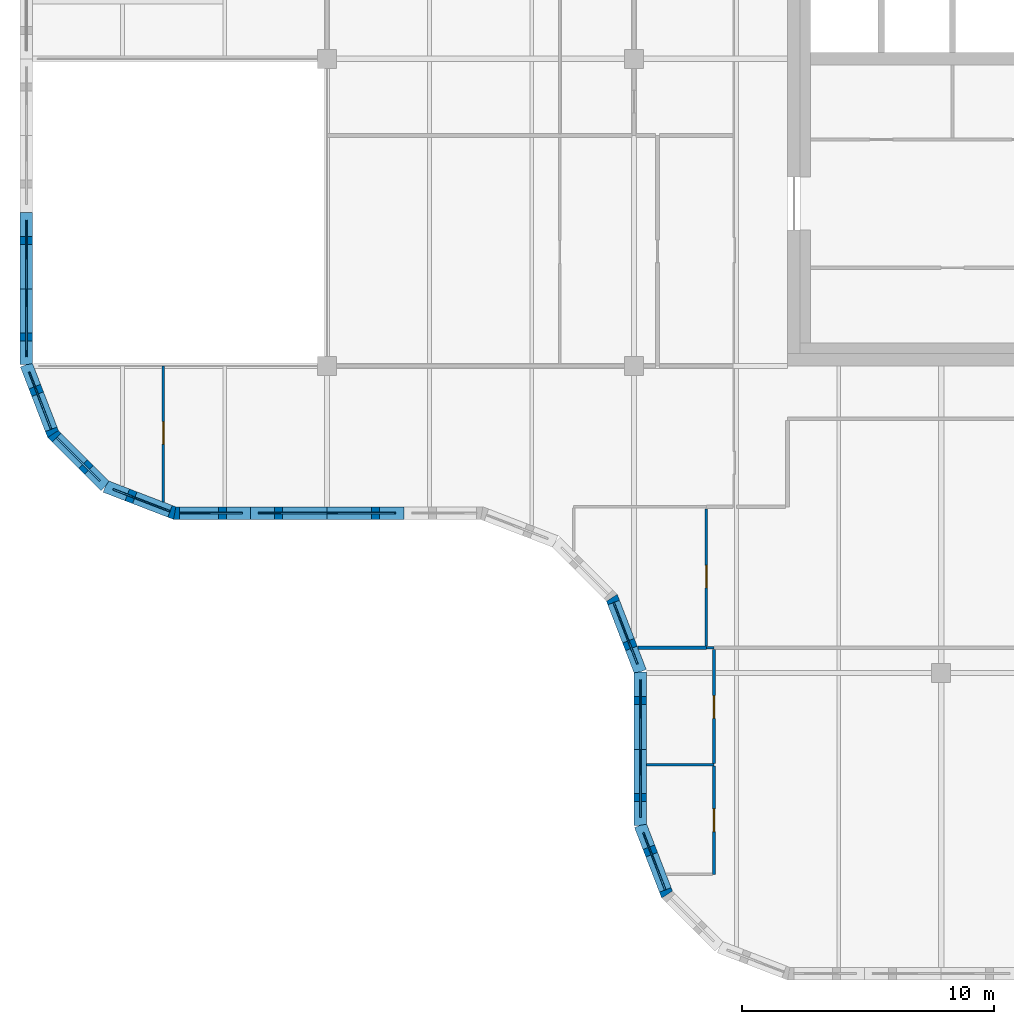
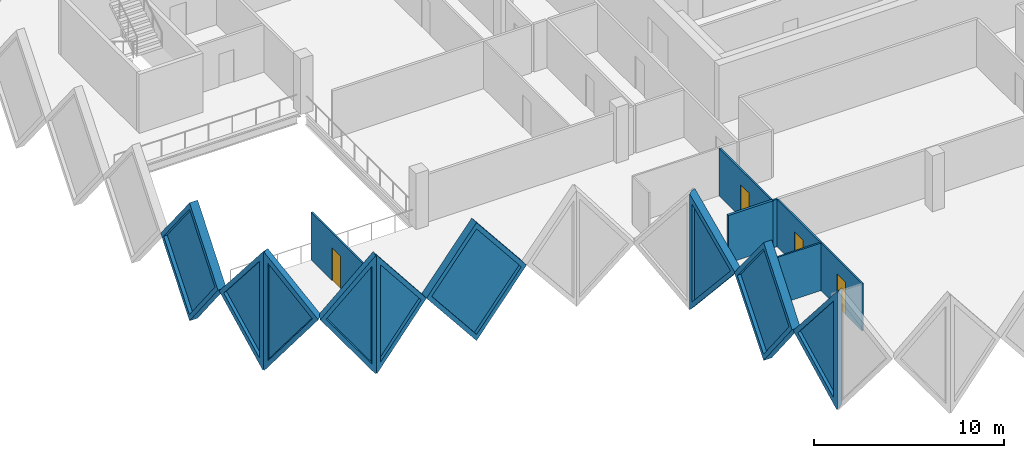
# One storey, part 3 of 11: 16 walls, 9 plates, 4 doors, 13 openings.
"""IFC4 building model written with IfcOpenShell, lengths in metres."""

from ifc_helpers import new_model, si_unit, direction, frame, frame_2d, origin, place, context, subcontext, project, spatial, polyline, rectangle, outline, extrude, faceted_brep, source, transform, mapped, material, layer, layer_set, type_object, element, fill, save


model = new_model("IFC4")

# Units and contexts
model_context = context("Model", 3, precision=1e-05, world=origin(), true_north=direction((0.0, 1.0)))
body_context = subcontext(model_context, "Body", "Model", "MODEL_VIEW")
ifc_project = project(units=[si_unit("LENGTHUNIT", "METRE"), si_unit("AREAUNIT", "SQUARE_METRE"), si_unit("VOLUMEUNIT", "CUBIC_METRE"), si_unit("PLANEANGLEUNIT", "RADIAN"), si_unit("MASSUNIT", "GRAM", prefix="KILO")], contexts=[model_context])

# Site, building, storey
site_placement = place(None, origin())
site = spatial("IfcSite", under=ifc_project, at=site_placement, CompositionType="ELEMENT")
building_placement = place(site_placement, origin())
building = spatial("IfcBuilding", under=site, at=building_placement, Name="Tessera Gate Towers", CompositionType="ELEMENT")
storey_placement = place(building_placement, frame((0.0, 0.0, 205.5)))
storey = spatial("IfcBuildingStorey", under=building, at=storey_placement, Name="L51", CompositionType="ELEMENT", Elevation=205.5)

# Wall, opening, door
ifc_material_1 = material(Name="Glass", Category="glass")
ifc_layer_1 = layer(ifc_material_1, 0.10009765625)
ifc_layer_set_1 = layer_set([ifc_layer_1], Name="GLAZED PARTITION 100")
wall_type_1 = type_object("IfcWallType", Name="GLAZED PARTITION 100", PredefinedType="PARTITIONING", material=ifc_layer_set_1)
wall_1_placement = place(storey_placement, frame((27.574951171875, 4.199951171875, 0.0), z_axis=(0.0, 0.0, 1.0), x_axis=(0.0, 1.0, 0.0)))
wall_1 = element("IfcWall", 1, at=wall_1_placement, inside=storey, type_object=wall_type_1, Name="T1-L51-PW-004", PredefinedType="PARTITIONING", context=body_context, shape_type="SweptSolid", body=[
    extrude(rectangle(XDim=4.296875, YDim=0.10009765625, at=frame_2d((2.1484375, 0.0))), origin(), (0.0, 0.0, 1.0), 3.06689453125),
])
shared_shape_1 = source(origin(), body_context, "Body", "SweptSolid", [
    extrude(rectangle(XDim=0.89990234375, YDim=2.10009765625, at=frame_2d((0.449951171875, 1.050048828125))), frame((0.0, 0.06005859375, 0.0), z_axis=(0.0, -1.0, 0.0), x_axis=(1.0, 0.0, 0.0)), (0.0, 0.0, 1.0), 0.1201171875),
])
opening_1_placement = place(wall_1_placement, frame((1.699951171875, 0.0, 0.0)))
opening_1 = element("IfcOpeningElement", 2, at=opening_1_placement, cuts=wall_1, Name="Opening D690-A18-04", PredefinedType="OPENING", context=body_context, shape_type="MappedRepresentation", body=[
    mapped(shared_shape_1, transform((0.0, 0.0, 0.0), scale=1.0)),
])
ifc_material_2 = material(Name="Glass in aluminium frame", Category="aluminium")
door_type = type_object("IfcDoorType", Name="GLAZED DOOR 900 NOT RATED", OperationType="NOTDEFINED", PredefinedType="DOOR", material=ifc_material_2)
shared_shape_2 = source(origin(), body_context, "Body", "SweptSolid", [
    extrude(rectangle(XDim=0.89990234375, YDim=2.10009765625, at=frame_2d((0.449951171875, 1.050048828125))), frame((0.0, 0.02490234375, 0.0), z_axis=(0.0, -1.0, 0.0), x_axis=(1.0, 0.0, 0.0)), (0.0, 0.0, 1.0), 0.050048828125),
])
door_1_placement = place(opening_1_placement, origin())
door_1 = element("IfcDoor", 3, at=door_1_placement, inside=storey, type_object=door_type, Name="T1-L51-PD-010", OperationType="SINGLE_SWING_LEFT", OverallHeight=2.10009765625, OverallWidth=0.89990234375, PredefinedType="DOOR", context=body_context, shape_type="MappedRepresentation", body=[
    mapped(shared_shape_2, transform((0.0, 0.0, 0.0), scale=1.0)),
])
fill(opening_1, door_1)

wall_2_placement = place(storey_placement, frame((27.574951171875, 8.598876953125, 0.0), z_axis=(0.0, 0.0, 1.0), x_axis=(0.0, 1.0, 0.0)))
wall_2 = element("IfcWall", 4, at=wall_2_placement, inside=storey, type_object=wall_type_1, Name="T1-L51-PW-009", PredefinedType="PARTITIONING", context=body_context, shape_type="SweptSolid", body=[
    extrude(rectangle(XDim=4.525146484375, YDim=0.10009765625, at=frame_2d((2.2626953125, 0.0))), origin(), (0.0, 0.0, 1.0), 3.06689453125),
])
opening_2_placement = place(wall_2_placement, frame((1.800048828125, 0.0, 0.0)))
opening_2 = element("IfcOpeningElement", 5, at=opening_2_placement, cuts=wall_2, Name="Opening D690-A18-01", PredefinedType="OPENING", context=body_context, shape_type="MappedRepresentation", body=[
    mapped(shared_shape_1, transform((0.0, 0.0, 0.0), scale=1.0)),
])
door_2_placement = place(opening_2_placement, origin())
door_2 = element("IfcDoor", 6, at=door_2_placement, inside=storey, type_object=door_type, Name="T1-L51-PD-004", OperationType="SINGLE_SWING_LEFT", OverallHeight=2.10009765625, OverallWidth=0.89990234375, PredefinedType="DOOR", context=body_context, shape_type="MappedRepresentation", body=[
    mapped(shared_shape_2, transform((0.0, 0.0, 0.0), scale=1.0)),
])
fill(opening_2, door_2)

# Wall
wall_3_placement = place(storey_placement, frame((27.27587890625, 13.199951171875, 0.0), z_axis=(0.0, 0.0, 1.0), x_axis=(1.0, 0.0, 0.0)))
element("IfcWall", 7, at=wall_3_placement, inside=storey, type_object=wall_type_1, Name="T1-L51-PW-012", PredefinedType="PARTITIONING", context=body_context, shape_type="SweptSolid", body=[
    extrude(rectangle(XDim=0.298095703125, YDim=0.10009765625, at=frame_2d((0.14892578125, 0.0))), origin(), (0.0, 0.0, 1.0), 3.06689453125),
])

# Wall, opening, door
wall_4_placement = place(storey_placement, frame((27.27490234375, 13.27587890625, 0.0), z_axis=(0.0, 0.0, 1.0), x_axis=(0.0, 1.0, 0.0)))
wall_4 = element("IfcWall", 8, at=wall_4_placement, inside=storey, type_object=wall_type_1, Name="T1-L51-PW-014", PredefinedType="PARTITIONING", context=body_context, shape_type="SweptSolid", body=[
    extrude(rectangle(XDim=5.4482421875, YDim=0.10009765625, at=frame_2d((2.72412109375, 0.0))), origin(), (0.0, 0.0, 1.0), 3.06689453125),
])
opening_3_placement = place(wall_4_placement, frame((2.300048828125, 0.0, 0.0)))
opening_3 = element("IfcOpeningElement", 9, at=opening_3_placement, cuts=wall_4, Name="Opening D690-A18-03", PredefinedType="OPENING", context=body_context, shape_type="MappedRepresentation", body=[
    mapped(shared_shape_1, transform((0.0, 0.0, 0.0), scale=1.0)),
])
door_3_placement = place(opening_3_placement, origin())
door_3 = element("IfcDoor", 10, at=door_3_placement, inside=storey, type_object=door_type, Name="T1-L51-PD-008", OperationType="SINGLE_SWING_LEFT", OverallHeight=2.10009765625, OverallWidth=0.89990234375, PredefinedType="DOOR", context=body_context, shape_type="MappedRepresentation", body=[
    mapped(shared_shape_2, transform((0.0, 0.0, 0.0), scale=1.0)),
])
fill(opening_3, door_3)

wall_5_placement = place(storey_placement, frame((5.699951171875, 18.990234375, 0.0), z_axis=(0.0, 0.0, 1.0), x_axis=(0.0, 1.0, 0.0)))
wall_5 = element("IfcWall", 11, at=wall_5_placement, inside=storey, type_object=wall_type_1, Name="T1-L51-PW-025", PredefinedType="PARTITIONING", context=body_context, shape_type="SweptSolid", body=[
    extrude(rectangle(XDim=5.40966796875, YDim=0.10009765625, at=frame_2d((2.704833984375, 0.0))), origin(), (0.0, 0.0, 1.0), 3.06689453125),
])
opening_4_placement = place(wall_5_placement, frame((2.300048828125, 0.0, 0.0)))
opening_4 = element("IfcOpeningElement", 12, at=opening_4_placement, cuts=wall_5, Name="Opening D690-A18-02", PredefinedType="OPENING", context=body_context, shape_type="MappedRepresentation", body=[
    mapped(shared_shape_1, transform((0.0, 0.0, 0.0), scale=1.0)),
])
door_4_placement = place(opening_4_placement, origin())
door_4 = element("IfcDoor", 13, at=door_4_placement, inside=storey, type_object=door_type, Name="T1-L51-PD-007", OperationType="SINGLE_SWING_LEFT", OverallHeight=2.10009765625, OverallWidth=0.89990234375, PredefinedType="DOOR", context=body_context, shape_type="MappedRepresentation", body=[
    mapped(shared_shape_2, transform((0.0, 0.0, 0.0), scale=1.0)),
])
fill(opening_4, door_4)

# Walls
ifc_material_3 = material(Name="Gypsum board on steel studs", Category="steel")
ifc_layer_2 = layer(ifc_material_3, 0.10009765625)
ifc_layer_set_2 = layer_set([ifc_layer_2], Name="PARTITION 100")
wall_type_2 = type_object("IfcWallType", Name="PARTITION 100", PredefinedType="PARTITIONING", material=ifc_layer_set_2)
wall_6_placement = place(storey_placement, frame((24.89990234375, 8.548095703125, 0.0), z_axis=(0.0, 0.0, 1.0), x_axis=(1.0, 0.0, 0.0)))
element("IfcWall", 14, at=wall_6_placement, inside=storey, type_object=wall_type_2, Name="T1-L51-PW-008", PredefinedType="PARTITIONING", context=body_context, shape_type="SweptSolid", body=[
    extrude(rectangle(XDim=2.675048828125, YDim=0.10009765625, at=frame_2d((1.33740234375, 0.0))), origin(), (0.0, 0.0, 1.0), 3.06689453125),
])
ifc_material_4 = material(Name="Gypsum board on steel studs, mineral wool", Category="steel")
ifc_layer_3 = layer(ifc_material_4, 0.14990234375)
ifc_layer_set_3 = layer_set([ifc_layer_3], Name="TENANCY WALL 150")
wall_type_3 = type_object("IfcWallType", Name="TENANCY WALL 150", PredefinedType="PARTITIONING", material=ifc_layer_set_3)
wall_7_placement = place(storey_placement, frame((24.55029296875, 13.199951171875, 0.0), z_axis=(0.0, 0.0, 1.0), x_axis=(1.0, 0.0, 0.0)))
element("IfcWall", 15, at=wall_7_placement, inside=storey, type_object=wall_type_3, Name="T1-L51-PW-011", PredefinedType="PARTITIONING", context=body_context, shape_type="SweptSolid", body=[
    extrude(rectangle(XDim=2.724609375, YDim=0.14990234375, at=frame_2d((1.3623046875, 0.0))), origin(), (0.0, 0.0, 1.0), 3.06689453125),
])

# Wall, opening, plate
ifc_material_5 = material(Name="Precast concrete C60/75 white", Category="concrete")
ifc_layer_4 = layer(ifc_material_5, 0.5)
ifc_layer_set_4 = layer_set([ifc_layer_4], Name="TS1 tessera")
wall_type_4 = type_object("IfcWallType", Name="TS1 tessera", PredefinedType="SOLIDWALL", material=ifc_layer_set_4)
shared_shape_3 = source(origin(), body_context, "Body", "SweptSolid", [
    extrude(outline(polyline([(3.050048828125, 0.0), (6.10009765625, 3.800048828125), (3.050048828125, 7.60009765625), (0.0, 3.800048828125), (3.050048828125, 0.0)])), frame((0.0, 0.25, 0.0), z_axis=(0.0, -1.0, 0.0), x_axis=(1.0, 0.0, 0.0)), (0.0, 0.0, 1.0), 0.5),
])
wall_8_placement = place(storey_placement, frame((9.14990234375, 18.550048828125, -3.800048828125), z_axis=(0.0, 0.0, 1.0), x_axis=(1.0, 0.0, 0.0)))
wall_8 = element("IfcWall", 16, at=wall_8_placement, inside=storey, type_object=wall_type_4, Name="Precast tessera T1 TS1-0895", PredefinedType="SOLIDWALL", context=body_context, shape_type="MappedRepresentation", body=[
    mapped(shared_shape_3, transform((0.0, 0.0, 0.0), scale=1.0)),
])
shared_shape_4 = source(origin(), body_context, "Body", "SweptSolid", [
    extrude(outline(polyline([(3.050048828125, 0.3994140625), (5.779541015625, 3.800048828125), (3.050048828125, 7.20068359375), (0.320556640625, 3.800048828125), (3.050048828125, 0.3994140625)])), frame((0.0, 0.260009765625, 0.0), z_axis=(0.0, -1.0, 0.0), x_axis=(1.0, 0.0, 0.0)), (0.0, 0.0, 1.0), 0.52001953125),
])
opening_5_placement = place(wall_8_placement, origin())
opening_5 = element("IfcOpeningElement", 17, at=opening_5_placement, cuts=wall_8, Name="Opening T1-PL2-1825", PredefinedType="OPENING", context=body_context, shape_type="MappedRepresentation", body=[
    mapped(shared_shape_4, transform((0.0, 0.0, 0.0), scale=1.0)),
])
ifc_material_6 = material(Name="Low-e laminated glass", Category="glass")
ifc_layer_5 = layer(ifc_material_6, 0.06005859375)
ifc_layer_set_5 = layer_set([ifc_layer_5], Name="PL2 rhombic pane")
plate_type = type_object("IfcPlateType", Name="PL2 rhombic pane", PredefinedType="SHEET", material=ifc_layer_set_5)
shared_shape_5 = source(origin(), body_context, "Body", "SweptSolid", [
    extrude(outline(polyline([(3.050048828125, 0.3994140625), (5.779541015625, 3.800048828125), (3.050048828125, 7.20068359375), (0.320556640625, 3.800048828125), (3.050048828125, 0.3994140625)])), frame((0.0, 0.030029296875, 0.0), z_axis=(0.0, -1.0, 0.0), x_axis=(1.0, 0.0, 0.0)), (0.0, 0.0, 1.0), 0.06005859375),
])
plate_1_placement = place(opening_5_placement, origin())
plate_1 = element("IfcPlate", 18, at=plate_1_placement, inside=storey, type_object=plate_type, Name="Glass pane T1 PL2-1825", PredefinedType="SHEET", context=body_context, shape_type="MappedRepresentation", body=[
    mapped(shared_shape_5, transform((0.0, 0.0, 0.0), scale=1.0)),
])
fill(opening_5, plate_1)

shared_shape_6 = source(origin(), body_context, "Body", "Brep", [
    faceted_brep([(3.050048828125, -0.25, 0.0), (6.053466796875, -0.25, 3.800048828125), (3.050048828125, -0.25, 7.60009765625), (0.0, -0.25, 3.800048828125), (0.0, 0.25, 3.800048828125), (3.050048828125, 0.25, 7.60009765625), (6.0068359375, 0.25, 3.85888671875), (6.0068359375, 0.25, 3.7412109375), (3.050048828125, 0.25, 0.0), (6.053466796875, 0.0, 3.800048828125)], [[[0, 1, 2, 3]], [[4, 5, 6, 7, 8]], [[8, 7, 9, 1, 0]], [[6, 5, 2, 1, 9]], [[5, 4, 3, 2]], [[4, 8, 0, 3]], [[9, 7, 6]]]),
])
wall_9_placement = place(storey_placement, frame((0.25, 30.5, -3.800048828125), z_axis=(0.0, 0.0, 1.0), x_axis=(0.0, -1.0, 0.0)))
wall_9 = element("IfcWall", 19, at=wall_9_placement, inside=storey, type_object=wall_type_4, Name="Precast tessera T1 TS1-0894", PredefinedType="SOLIDWALL", context=body_context, shape_type="MappedRepresentation", body=[
    mapped(shared_shape_6, transform((0.0, 0.0, 0.0), scale=1.0)),
])
shared_shape_7 = source(origin(), body_context, "Body", "SweptSolid", [
    extrude(outline(polyline([(3.048583984375, 0.4013671875), (5.73486328125, 3.800048828125), (3.048583984375, 7.19873046875), (0.320556640625, 3.800048828125), (3.048583984375, 0.4013671875)])), frame((0.0, 0.260009765625, 0.0), z_axis=(0.0, -1.0, 0.0), x_axis=(1.0, 0.0, 0.0)), (0.0, 0.0, 1.0), 0.52001953125),
])
opening_6_placement = place(wall_9_placement, origin())
opening_6 = element("IfcOpeningElement", 20, at=opening_6_placement, cuts=wall_9, Name="Opening T1-PL2-1820", PredefinedType="OPENING", context=body_context, shape_type="MappedRepresentation", body=[
    mapped(shared_shape_7, transform((0.0, 0.0, 0.0), scale=1.0)),
])
shared_shape_8 = source(origin(), body_context, "Body", "SweptSolid", [
    extrude(outline(polyline([(3.048583984375, 0.4013671875), (5.73486328125, 3.800048828125), (3.048583984375, 7.19873046875), (0.320556640625, 3.800048828125), (3.048583984375, 0.4013671875)])), frame((0.0, 0.030029296875, 0.0), z_axis=(0.0, -1.0, 0.0), x_axis=(1.0, 0.0, 0.0)), (0.0, 0.0, 1.0), 0.06005859375),
])
plate_2_placement = place(opening_6_placement, origin())
plate_2 = element("IfcPlate", 21, at=plate_2_placement, inside=storey, type_object=plate_type, Name="Glass pane T1 PL2-1820", PredefinedType="SHEET", context=body_context, shape_type="MappedRepresentation", body=[
    mapped(shared_shape_8, transform((0.0, 0.0, 0.0), scale=1.0)),
])
fill(opening_6, plate_2)

ifc_material_7 = material(Name="Precast concrete C60/75 white", Category="concrete")
ifc_layer_6 = layer(ifc_material_7, 0.5)
ifc_layer_set_6 = layer_set([ifc_layer_6], Name="TS3 corner tessera")
wall_type_5 = type_object("IfcWallType", Name="TS3 corner tessera", PredefinedType="SOLIDWALL", material=ifc_layer_set_6)
shared_shape_9 = source(origin(), body_context, "Body", "Brep", [
    faceted_brep([(2.950439453125, -0.25, 0.0), (3.00341796875, -0.25, 0.068359375), (3.00341796875, -0.25, 7.53173828125), (2.950439453125, -0.25, 7.60009765625), (0.0, -0.25, 3.800048828125), (0.046630859375, 0.25, 3.860107421875), (2.897705078125, 0.25, 7.531982421875), (2.897705078125, 0.25, 0.068115234375), (0.046630859375, 0.25, 3.739990234375), (2.950439453125, 0.00048828125, 0.0), (2.950439453125, 0.00048828125, 7.60009765625), (0.0, 0.0, 3.800048828125)], [[[0, 1, 2, 3, 4]], [[5, 6, 7, 8]], [[1, 0, 9]], [[10, 3, 2]], [[6, 5, 11, 4, 3, 10]], [[8, 7, 9, 0, 4, 11]], [[8, 11, 5]], [[1, 9, 7, 6, 10, 2]]]),
])
wall_10_placement = place(storey_placement, frame((24.64990234375, 6.146484375, -3.800048828125), z_axis=(0.0, 0.0, 1.0), x_axis=(0.359953949349, -0.932970071518, 0.0)))
wall_10 = element("IfcWall", 22, at=wall_10_placement, inside=storey, type_object=wall_type_5, Name="Precast corner tessera T1 TS3-1199", PredefinedType="SOLIDWALL", context=body_context, shape_type="MappedRepresentation", body=[
    mapped(shared_shape_9, transform((0.0, 0.0, 0.0), scale=1.0)),
])
shared_shape_10 = source(origin(), body_context, "Body", "SweptSolid", [
    extrude(outline(polyline([(2.75048828125, 6.934814453125), (0.31640625, 3.800048828125), (2.75048828125, 0.665283203125), (2.75048828125, 6.934814453125)])), frame((0.0, 0.260009765625, 0.0), z_axis=(0.0, -1.0, 0.0), x_axis=(1.0, 0.0, 0.0)), (0.0, 0.0, 1.0), 0.52001953125),
])
opening_7_placement = place(wall_10_placement, origin())
opening_7 = element("IfcOpeningElement", 23, at=opening_7_placement, cuts=wall_10, Name="Opening T1-PL2-1831", PredefinedType="OPENING", context=body_context, shape_type="MappedRepresentation", body=[
    mapped(shared_shape_10, transform((0.0, 0.0, 0.0), scale=1.0)),
])
shared_shape_11 = source(origin(), body_context, "Body", "SweptSolid", [
    extrude(outline(polyline([(2.75048828125, 6.934814453125), (0.31640625, 3.800048828125), (2.75048828125, 0.665283203125), (2.75048828125, 6.934814453125)])), frame((0.0, 0.030029296875, 0.0), z_axis=(0.0, -1.0, 0.0), x_axis=(1.0, 0.0, 0.0)), (0.0, 0.0, 1.0), 0.06005859375),
])
plate_3_placement = place(opening_7_placement, origin())
plate_3 = element("IfcPlate", 24, at=plate_3_placement, inside=storey, type_object=plate_type, Name="Glass pane T1 PL2-1831", PredefinedType="SHEET", context=body_context, shape_type="MappedRepresentation", body=[
    mapped(shared_shape_11, transform((0.0, 0.0, 0.0), scale=1.0)),
])
fill(opening_7, plate_3)

shared_shape_12 = source(origin(), body_context, "Body", "Brep", [
    faceted_brep([(0.052978515625, -0.25, 0.0), (2.9970703125, -0.25, 3.800048828125), (0.052978515625, -0.25, 7.60009765625), (0.0, -0.25, 7.531982421875), (0.0, -0.25, 0.068115234375), (0.10595703125, 0.25, 7.53173828125), (2.944091796875, 0.25, 3.8681640625), (2.944091796875, 0.25, 3.73193359375), (0.10595703125, 0.25, 0.068359375), (2.9970703125, 0.000244140625, 3.800048828125), (0.052978515625, 0.0, 0.0), (0.052978515625, 0.0, 7.60009765625)], [[[0, 1, 2, 3, 4]], [[5, 6, 7, 8]], [[8, 7, 9, 1, 0, 10]], [[6, 5, 11, 2, 1, 9]], [[3, 2, 11]], [[10, 0, 4]], [[8, 10, 4, 3, 11, 5]], [[9, 7, 6]]]),
])
wall_11_placement = place(storey_placement, frame((1.2744140625, 21.731201171875, -3.800048828125), z_axis=(0.0, 0.0, 1.0), x_axis=(0.707147509625, -0.707066050402, 0.0)))
wall_11 = element("IfcWall", 25, at=wall_11_placement, inside=storey, type_object=wall_type_5, Name="Precast corner tessera T1 TS3-1192", PredefinedType="SOLIDWALL", context=body_context, shape_type="MappedRepresentation", body=[
    mapped(shared_shape_12, transform((0.0, 0.0, 0.0), scale=1.0)),
])
shared_shape_13 = source(origin(), body_context, "Body", "SweptSolid", [
    extrude(outline(polyline([(0.2529296875, 0.666259765625), (2.680908203125, 3.800048828125), (0.2529296875, 6.933837890625), (0.2529296875, 0.666259765625)])), frame((0.0, 0.260009765625, 0.0), z_axis=(0.0, -1.0, 0.0), x_axis=(1.0, 0.0, 0.0)), (0.0, 0.0, 1.0), 0.52001953125),
])
opening_8_placement = place(wall_11_placement, origin())
opening_8 = element("IfcOpeningElement", 26, at=opening_8_placement, cuts=wall_11, Name="Opening T1-PL2-1822", PredefinedType="OPENING", context=body_context, shape_type="MappedRepresentation", body=[
    mapped(shared_shape_13, transform((0.0, 0.0, 0.0), scale=1.0)),
])
shared_shape_14 = source(origin(), body_context, "Body", "SweptSolid", [
    extrude(outline(polyline([(0.2529296875, 0.666259765625), (2.680908203125, 3.800048828125), (0.2529296875, 6.933837890625), (0.2529296875, 0.666259765625)])), frame((0.0, 0.030029296875, 0.0), z_axis=(0.0, -1.0, 0.0), x_axis=(1.0, 0.0, 0.0)), (0.0, 0.0, 1.0), 0.06005859375),
])
plate_4_placement = place(opening_8_placement, origin())
plate_4 = element("IfcPlate", 27, at=plate_4_placement, inside=storey, type_object=plate_type, Name="Glass pane T1 PL2-1822", PredefinedType="SHEET", context=body_context, shape_type="MappedRepresentation", body=[
    mapped(shared_shape_14, transform((0.0, 0.0, 0.0), scale=1.0)),
])
fill(opening_8, plate_4)

shared_shape_15 = source(origin(), body_context, "Body", "Brep", [
    faceted_brep([(2.950439453125, -0.25, 0.0), (2.9970703125, -0.25, 0.05908203125), (2.9970703125, -0.25, 7.541015625), (2.950439453125, -0.25, 7.60009765625), (0.0, -0.25, 3.800048828125), (0.052978515625, 0.25, 3.8681640625), (2.904052734375, 0.25, 7.540283203125), (2.904052734375, 0.25, 0.059814453125), (0.052978515625, 0.25, 3.73193359375), (2.950439453125, 0.00048828125, 0.0), (2.950439453125, 0.00048828125, 7.60009765625), (0.0, 0.0, 3.800048828125)], [[[0, 1, 2, 3, 4]], [[5, 6, 7, 8]], [[1, 0, 9]], [[10, 3, 2]], [[6, 5, 11, 4, 3, 10]], [[8, 7, 9, 0, 4, 11]], [[8, 11, 5]], [[1, 9, 7, 6, 10, 2]]]),
])
wall_12_placement = place(storey_placement, frame((3.393798828125, 19.61181640625, -3.800048828125), z_axis=(0.0, 0.0, 1.0), x_axis=(0.932990326376, -0.359901446078, 0.0)))
wall_12 = element("IfcWall", 28, at=wall_12_placement, inside=storey, type_object=wall_type_5, Name="Precast corner tessera T1 TS3-1193", PredefinedType="SOLIDWALL", context=body_context, shape_type="MappedRepresentation", body=[
    mapped(shared_shape_15, transform((0.0, 0.0, 0.0), scale=1.0)),
])
opening_9_placement = place(wall_12_placement, origin())
opening_9 = element("IfcOpeningElement", 29, at=opening_9_placement, cuts=wall_12, Name="Opening T1-PL2-1823", PredefinedType="OPENING", context=body_context, shape_type="MappedRepresentation", body=[
    mapped(shared_shape_10, transform((0.0, 0.0, 0.0), scale=1.0)),
])
plate_5_placement = place(opening_9_placement, origin())
plate_5 = element("IfcPlate", 30, at=plate_5_placement, inside=storey, type_object=plate_type, Name="Glass pane T1 PL2-1823", PredefinedType="SHEET", context=body_context, shape_type="MappedRepresentation", body=[
    mapped(shared_shape_11, transform((0.0, 0.0, 0.0), scale=1.0)),
])
fill(opening_9, plate_5)

shared_shape_16 = source(origin(), body_context, "Body", "Brep", [
    faceted_brep([(0.046630859375, -0.25, 0.0), (3.050048828125, -0.25, 3.800048828125), (0.046630859375, -0.25, 7.60009765625), (0.0, -0.25, 7.5400390625), (0.0, -0.25, 0.06005859375), (0.09326171875, 0.25, 7.541259765625), (3.050048828125, 0.25, 3.800048828125), (0.09326171875, 0.25, 0.058837890625), (0.046630859375, 0.0, 0.0), (0.046630859375, 0.0, 7.60009765625)], [[[0, 1, 2, 3, 4]], [[5, 6, 7]], [[7, 6, 1, 0, 8]], [[6, 5, 9, 2, 1]], [[3, 2, 9]], [[8, 0, 4]], [[7, 8, 4, 3, 9, 5]]]),
])
wall_13_placement = place(storey_placement, frame((6.099853515625, 18.550048828125, -3.800048828125), z_axis=(0.0, 0.0, 1.0), x_axis=(1.0, 0.0, 0.0)))
wall_13 = element("IfcWall", 31, at=wall_13_placement, inside=storey, type_object=wall_type_5, Name="Precast corner tessera T1 TS3-1194", PredefinedType="SOLIDWALL", context=body_context, shape_type="MappedRepresentation", body=[
    mapped(shared_shape_16, transform((0.0, 0.0, 0.0), scale=1.0)),
])
shared_shape_17 = source(origin(), body_context, "Body", "SweptSolid", [
    extrude(outline(polyline([(0.24658203125, 0.65625), (2.7314453125, 3.800048828125), (0.24658203125, 6.94384765625), (0.24658203125, 0.65625)])), frame((0.0, 0.260009765625, 0.0), z_axis=(0.0, -1.0, 0.0), x_axis=(1.0, 0.0, 0.0)), (0.0, 0.0, 1.0), 0.52001953125),
])
opening_10_placement = place(wall_13_placement, origin())
opening_10 = element("IfcOpeningElement", 32, at=opening_10_placement, cuts=wall_13, Name="Opening T1-PL2-1824", PredefinedType="OPENING", context=body_context, shape_type="MappedRepresentation", body=[
    mapped(shared_shape_17, transform((0.0, 0.0, 0.0), scale=1.0)),
])
shared_shape_18 = source(origin(), body_context, "Body", "SweptSolid", [
    extrude(outline(polyline([(0.24658203125, 0.65625), (2.7314453125, 3.800048828125), (0.24658203125, 6.94384765625), (0.24658203125, 0.65625)])), frame((0.0, 0.030029296875, 0.0), z_axis=(0.0, -1.0, 0.0), x_axis=(1.0, 0.0, 0.0)), (0.0, 0.0, 1.0), 0.06005859375),
])
plate_6_placement = place(opening_10_placement, origin())
plate_6 = element("IfcPlate", 33, at=plate_6_placement, inside=storey, type_object=plate_type, Name="Glass pane T1 PL2-1824", PredefinedType="SHEET", context=body_context, shape_type="MappedRepresentation", body=[
    mapped(shared_shape_18, transform((0.0, 0.0, 0.0), scale=1.0)),
])
fill(opening_10, plate_6)

shared_shape_19 = source(origin(), body_context, "Body", "Brep", [
    faceted_brep([(2.950439453125, -0.25, 0.0), (3.00341796875, -0.25, 0.068359375), (3.00341796875, -0.25, 7.53173828125), (2.950439453125, -0.25, 7.60009765625), (0.0, -0.25, 3.800048828125), (0.046630859375, 0.25, 3.860107421875), (2.897705078125, 0.25, 7.531982421875), (2.897705078125, 0.25, 0.068115234375), (0.046630859375, 0.25, 3.739990234375), (2.950439453125, 0.00048828125, 0.0), (2.950439453125, 0.00048828125, 7.60009765625), (0.0, 0.0, 3.800048828125)], [[[0, 1, 2, 3, 4]], [[5, 6, 7, 8]], [[1, 0, 9]], [[10, 3, 2]], [[6, 5, 11, 4, 3, 10]], [[8, 7, 9, 0, 4, 11]], [[8, 11, 5]], [[1, 9, 7, 6, 10, 2]]]),
])
wall_14_placement = place(storey_placement, frame((0.25, 24.446533203125, -3.800048828125), z_axis=(0.0, 0.0, 1.0), x_axis=(0.35992665181, -0.932980602862, 0.0)))
wall_14 = element("IfcWall", 34, at=wall_14_placement, inside=storey, type_object=wall_type_5, Name="Precast corner tessera T1 TS3-1191", PredefinedType="SOLIDWALL", context=body_context, shape_type="MappedRepresentation", body=[
    mapped(shared_shape_19, transform((0.0, 0.0, 0.0), scale=1.0)),
])
opening_11_placement = place(wall_14_placement, origin())
opening_11 = element("IfcOpeningElement", 35, at=opening_11_placement, cuts=wall_14, Name="Opening T1-PL2-1821", PredefinedType="OPENING", context=body_context, shape_type="MappedRepresentation", body=[
    mapped(shared_shape_10, transform((0.0, 0.0, 0.0), scale=1.0)),
])
plate_7_placement = place(opening_11_placement, origin())
plate_7 = element("IfcPlate", 36, at=plate_7_placement, inside=storey, type_object=plate_type, Name="Glass pane T1 PL2-1821", PredefinedType="SHEET", context=body_context, shape_type="MappedRepresentation", body=[
    mapped(shared_shape_11, transform((0.0, 0.0, 0.0), scale=1.0)),
])
fill(opening_11, plate_7)

shared_shape_20 = source(origin(), body_context, "Body", "Brep", [
    faceted_brep([(0.10595703125, -0.25, 0.06396484375), (3.156005859375, -0.25, 3.743896484375), (3.156005859375, -0.25, 3.856201171875), (0.10595703125, -0.25, 7.5361328125), (0.0, 0.25, 7.536376953125), (0.052978515625, 0.25, 7.60009765625), (3.202392578125, 0.25, 3.800048828125), (0.052978515625, 0.25, 0.0), (0.0, 0.25, 0.063720703125), (3.202392578125, -0.000244140625, 3.800048828125), (0.052978515625, 0.0, 0.0), (0.052978515625, 0.0, 7.60009765625)], [[[0, 1, 2, 3]], [[4, 5, 6, 7, 8]], [[7, 6, 9, 1, 0, 10]], [[6, 5, 11, 3, 2, 9]], [[5, 4, 11]], [[8, 7, 10]], [[8, 10, 0, 3, 11, 4]], [[1, 9, 2]]]),
])
wall_15_placement = place(storey_placement, frame((23.497314453125, 15.234375, -3.800048828125), z_axis=(0.0, 0.0, 1.0), x_axis=(0.359913782069, -0.932985567668, 0.0)))
wall_15 = element("IfcWall", 37, at=wall_15_placement, inside=storey, type_object=wall_type_5, Name="Precast corner tessera T1 TS3-1198", PredefinedType="SOLIDWALL", context=body_context, shape_type="MappedRepresentation", body=[
    mapped(shared_shape_20, transform((0.0, 0.0, 0.0), scale=1.0)),
])
shared_shape_21 = source(origin(), body_context, "Body", "SweptSolid", [
    extrude(outline(polyline([(0.2529296875, 0.633056640625), (2.877685546875, 3.800048828125), (0.2529296875, 6.967041015625), (0.2529296875, 0.633056640625)])), frame((0.0, 0.260009765625, 0.0), z_axis=(0.0, -1.0, 0.0), x_axis=(1.0, 0.0, 0.0)), (0.0, 0.0, 1.0), 0.52001953125),
])
opening_12_placement = place(wall_15_placement, origin())
opening_12 = element("IfcOpeningElement", 38, at=opening_12_placement, cuts=wall_15, Name="Opening T1-PL2-1829", PredefinedType="OPENING", context=body_context, shape_type="MappedRepresentation", body=[
    mapped(shared_shape_21, transform((0.0, 0.0, 0.0), scale=1.0)),
])
shared_shape_22 = source(origin(), body_context, "Body", "SweptSolid", [
    extrude(outline(polyline([(0.2529296875, 0.633056640625), (2.877685546875, 3.800048828125), (0.2529296875, 6.967041015625), (0.2529296875, 0.633056640625)])), frame((0.0, 0.030029296875, 0.0), z_axis=(0.0, -1.0, 0.0), x_axis=(1.0, 0.0, 0.0)), (0.0, 0.0, 1.0), 0.06005859375),
])
plate_8_placement = place(opening_12_placement, origin())
plate_8 = element("IfcPlate", 39, at=plate_8_placement, inside=storey, type_object=plate_type, Name="Glass pane T1 PL2-1829", PredefinedType="SHEET", context=body_context, shape_type="MappedRepresentation", body=[
    mapped(shared_shape_22, transform((0.0, 0.0, 0.0), scale=1.0)),
])
fill(opening_12, plate_8)

shared_shape_23 = source(origin(), body_context, "Body", "Brep", [
    faceted_brep([(3.096435546875, -0.25, 0.0), (6.10009765625, -0.25, 3.800048828125), (3.096435546875, -0.25, 7.60009765625), (0.046630859375, -0.25, 3.857177734375), (0.046630859375, -0.25, 3.742919921875), (0.0, 0.25, 3.800048828125), (3.096435546875, 0.25, 7.60009765625), (6.053466796875, 0.25, 3.859130859375), (6.053466796875, 0.25, 3.740966796875), (3.096435546875, 0.25, 0.0), (6.10009765625, -0.00048828125, 3.800048828125), (0.0, 0.0, 3.800048828125)], [[[0, 1, 2, 3, 4]], [[5, 6, 7, 8, 9]], [[9, 8, 10, 1, 0]], [[7, 6, 2, 1, 10]], [[6, 5, 11, 3, 2]], [[5, 9, 0, 4, 11]], [[11, 4, 3]], [[10, 8, 7]]]),
])
wall_16_placement = place(storey_placement, frame((24.64990234375, 12.24658203125, -3.800048828125), z_axis=(0.0, 0.0, 1.0), x_axis=(0.0, -1.0, 0.0)))
wall_16 = element("IfcWall", 40, at=wall_16_placement, inside=storey, type_object=wall_type_4, Name="Precast tessera T1 TS1-0896", PredefinedType="SOLIDWALL", context=body_context, shape_type="MappedRepresentation", body=[
    mapped(shared_shape_23, transform((0.0, 0.0, 0.0), scale=1.0)),
])
shared_shape_24 = source(origin(), body_context, "Body", "SweptSolid", [
    extrude(outline(polyline([(3.093505859375, 0.3994140625), (5.78125, 3.800048828125), (3.093505859375, 7.20068359375), (0.322509765625, 3.800048828125), (3.093505859375, 0.3994140625)])), frame((0.0, 0.260009765625, 0.0), z_axis=(0.0, -1.0, 0.0), x_axis=(1.0, 0.0, 0.0)), (0.0, 0.0, 1.0), 0.52001953125),
])
opening_13_placement = place(wall_16_placement, origin())
opening_13 = element("IfcOpeningElement", 41, at=opening_13_placement, cuts=wall_16, Name="Opening T1-PL2-1830", PredefinedType="OPENING", context=body_context, shape_type="MappedRepresentation", body=[
    mapped(shared_shape_24, transform((0.0, 0.0, 0.0), scale=1.0)),
])
shared_shape_25 = source(origin(), body_context, "Body", "SweptSolid", [
    extrude(outline(polyline([(3.093505859375, 0.3994140625), (5.78125, 3.800048828125), (3.093505859375, 7.20068359375), (0.322509765625, 3.800048828125), (3.093505859375, 0.3994140625)])), frame((0.0, 0.030029296875, 0.0), z_axis=(0.0, -1.0, 0.0), x_axis=(1.0, 0.0, 0.0)), (0.0, 0.0, 1.0), 0.06005859375),
])
plate_9_placement = place(opening_13_placement, origin())
plate_9 = element("IfcPlate", 42, at=plate_9_placement, inside=storey, type_object=plate_type, Name="Glass pane T1 PL2-1830", PredefinedType="SHEET", context=body_context, shape_type="MappedRepresentation", body=[
    mapped(shared_shape_25, transform((0.0, 0.0, 0.0), scale=1.0)),
])
fill(opening_13, plate_9)

save(model, "model.ifc")
